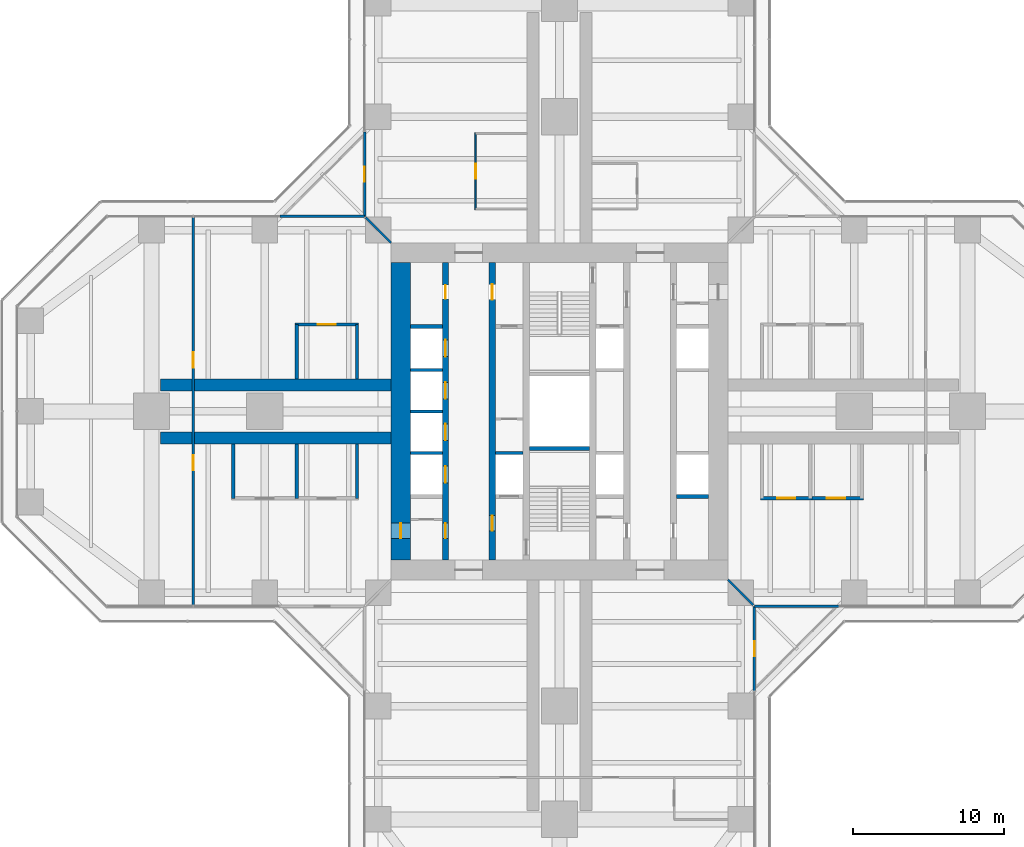
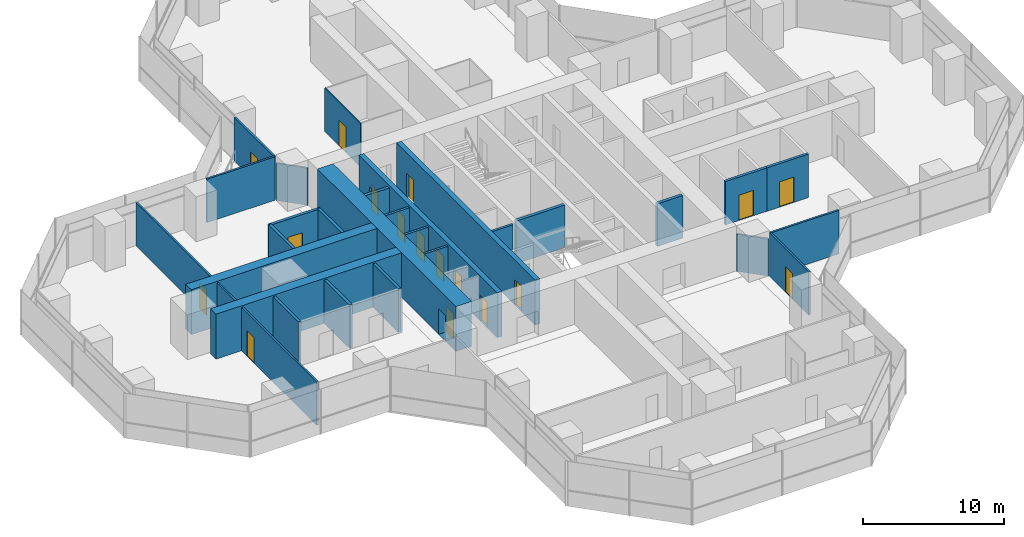
# One storey, part 18 of 22: 28 walls, 17 doors, 17 openings.
"""IFC4 building model written with IfcOpenShell, lengths in metres."""

from ifc_helpers import new_model, si_unit, direction, frame, frame_2d, origin, place, context, subcontext, project, spatial, rectangle, extrude, material, layer, layer_set, type_object, element, fill, save


model = new_model("IFC4")

# Units and contexts
model_context = context("Model", 3, precision=1e-05, world=origin(), true_north=direction((0.0, 1.0)))
body_context = subcontext(model_context, "Body", "Model", "MODEL_VIEW")
ifc_project = project(units=[si_unit("LENGTHUNIT", "METRE"), si_unit("AREAUNIT", "SQUARE_METRE"), si_unit("VOLUMEUNIT", "CUBIC_METRE"), si_unit("PLANEANGLEUNIT", "RADIAN"), si_unit("MASSUNIT", "GRAM", prefix="KILO")], contexts=[model_context])

# Site, building, storey
site_placement = place(None, origin())
site = spatial("IfcSite", under=ifc_project, at=site_placement, CompositionType="ELEMENT")
building_placement = place(site_placement, origin())
building = spatial("IfcBuilding", under=site, at=building_placement, Name="Mizan Broadcast Tower", CompositionType="ELEMENT")
storey_placement = place(building_placement, frame((0.0, 0.0, 63.0)))
storey = spatial("IfcBuildingStorey", under=building, at=storey_placement, Name="L12", CompositionType="ELEMENT", Elevation=63.0)

# Wall, openings, doors
ifc_material_1 = material(Name="Concrete C70/85", Category="concrete")
ifc_layer_1 = layer(ifc_material_1, 0.39990234375)
ifc_layer_set_1 = layer_set([ifc_layer_1], Name="Concrete C70/85")
wall_type_1 = type_object("IfcWallType", Name="CORE INTERNAL WALL 400", PredefinedType="SHEAR", material=ifc_layer_set_1)
wall_1_placement = place(storey_placement, frame((-7.550048828125, -9.85009765625, 0.0), z_axis=(0.0, 0.0, 1.0), x_axis=(0.0, 1.0, 0.0)))
wall_1 = element("IfcWall", 1, at=wall_1_placement, inside=storey, type_object=wall_type_1, Name="Core wall CORE/XW1", PredefinedType="SHEAR", context=body_context, shape_type="SweptSolid", body=[
    extrude(rectangle(XDim=19.7001953125, YDim=0.39990234375, at=frame_2d((9.85009765625, 0.0))), origin(), (0.0, 0.0, 1.0), 3.89990234375),
])
opening_1_placement = place(wall_1_placement, frame((1.449951171875, 0.0, 0.0)))
opening_1 = element("IfcOpeningElement", 2, at=opening_1_placement, cuts=wall_1, Name="Opening D10F", PredefinedType="OPENING", context=body_context, shape_type="SweptSolid", body=[
    extrude(rectangle(XDim=1.0, YDim=2.199951171875, at=frame_2d((0.5, 1.10009765625))), frame((0.0, 0.2099609375, 0.0), z_axis=(0.0, -1.0, 0.0), x_axis=(1.0, 0.0, 0.0)), (0.0, 0.0, 1.0), 0.419921875),
])
opening_2_placement = place(wall_1_placement, frame((17.300048828125, 0.0, 0.0)))
opening_2 = element("IfcOpeningElement", 3, at=opening_2_placement, cuts=wall_1, Name="Opening D09", PredefinedType="OPENING", context=body_context, shape_type="SweptSolid", body=[
    extrude(rectangle(XDim=0.89990234375, YDim=2.10009765625, at=frame_2d((0.449951171875, 1.050048828125))), frame((0.0, 0.2099609375, 0.0), z_axis=(0.0, -1.0, 0.0), x_axis=(1.0, 0.0, 0.0)), (0.0, 0.0, 1.0), 0.419921875),
])
opening_3_placement = place(wall_1_placement, frame((5.125, 0.0, 0.0)))
opening_3 = element("IfcOpeningElement", 4, at=opening_3_placement, cuts=wall_1, Name="Opening LD", PredefinedType="OPENING", context=body_context, shape_type="SweptSolid", body=[
    extrude(rectangle(XDim=1.10009765625, YDim=2.199951171875, at=frame_2d((0.550048828125, 1.10009765625))), frame((0.0, 0.2099609375, 0.0), z_axis=(0.0, -1.0, 0.0), x_axis=(1.0, 0.0, 0.0)), (0.0, 0.0, 1.0), 0.419921875),
])
opening_4_placement = place(wall_1_placement, frame((7.925048828125, 0.0, 0.0)))
opening_4 = element("IfcOpeningElement", 5, at=opening_4_placement, cuts=wall_1, Name="Opening LD", PredefinedType="OPENING", context=body_context, shape_type="SweptSolid", body=[
    extrude(rectangle(XDim=1.10009765625, YDim=2.199951171875, at=frame_2d((0.550048828125, 1.10009765625))), frame((0.0, 0.2099609375, 0.0), z_axis=(0.0, -1.0, 0.0), x_axis=(1.0, 0.0, 0.0)), (0.0, 0.0, 1.0), 0.419921875),
])
opening_5_placement = place(wall_1_placement, frame((10.675048828125, 0.0, 0.0)))
opening_5 = element("IfcOpeningElement", 6, at=opening_5_placement, cuts=wall_1, Name="Opening LD", PredefinedType="OPENING", context=body_context, shape_type="SweptSolid", body=[
    extrude(rectangle(XDim=1.10009765625, YDim=2.199951171875, at=frame_2d((0.550048828125, 1.10009765625))), frame((0.0, 0.2099609375, 0.0), z_axis=(0.0, -1.0, 0.0), x_axis=(1.0, 0.0, 0.0)), (0.0, 0.0, 1.0), 0.419921875),
])
opening_6_placement = place(wall_1_placement, frame((13.47509765625, 0.0, 0.0)))
opening_6 = element("IfcOpeningElement", 7, at=opening_6_placement, cuts=wall_1, Name="Opening LD", PredefinedType="OPENING", context=body_context, shape_type="SweptSolid", body=[
    extrude(rectangle(XDim=1.10009765625, YDim=2.199951171875, at=frame_2d((0.550048828125, 1.10009765625))), frame((0.0, 0.2099609375, 0.0), z_axis=(0.0, -1.0, 0.0), x_axis=(1.0, 0.0, 0.0)), (0.0, 0.0, 1.0), 0.419921875),
])
ifc_material_2 = material(Name="Steel door leaf in steel frame", Category="steel")
door_type_1 = type_object("IfcDoorType", Name="FIRE DOOR 1000 FD90", OperationType="SINGLE_SWING_LEFT", PredefinedType="DOOR", material=ifc_material_2)
door_1_placement = place(opening_1_placement, origin())
door_1 = element("IfcDoor", 8, at=door_1_placement, inside=storey, type_object=door_type_1, Name="West core passage door", OperationType="SINGLE_SWING_LEFT", OverallHeight=2.199951171875, OverallWidth=1.0, PredefinedType="DOOR", context=body_context, shape_type="SweptSolid", body=[
    extrude(rectangle(XDim=1.0, YDim=2.199951171875, at=frame_2d((0.5, 1.10009765625))), frame((0.0, 0.02490234375, 0.0), z_axis=(0.0, -1.0, 0.0), x_axis=(1.0, 0.0, 0.0)), (0.0, 0.0, 1.0), 0.050048828125),
])
fill(opening_1, door_1)
ifc_material_3 = material(Name="Steel door leaf in steel frame", Category="steel")
door_type_2 = type_object("IfcDoorType", Name="LIFT LANDING DOOR 1100", OperationType="SLIDING_TO_LEFT", PredefinedType="DOOR", material=ifc_material_3)
door_2_placement = place(opening_3_placement, origin())
door_2 = element("IfcDoor", 9, at=door_2_placement, inside=storey, type_object=door_type_2, Name="Landing door LA1", OperationType="SLIDING_TO_LEFT", OverallHeight=2.199951171875, OverallWidth=1.10009765625, PredefinedType="DOOR", context=body_context, shape_type="SweptSolid", body=[
    extrude(rectangle(XDim=1.10009765625, YDim=2.199951171875, at=frame_2d((0.550048828125, 1.10009765625))), frame((0.0, 0.02490234375, 0.0), z_axis=(0.0, -1.0, 0.0), x_axis=(1.0, 0.0, 0.0)), (0.0, 0.0, 1.0), 0.050048828125),
])
fill(opening_3, door_2)
door_3_placement = place(opening_4_placement, origin())
door_3 = element("IfcDoor", 10, at=door_3_placement, inside=storey, type_object=door_type_2, Name="Landing door LA2", OperationType="SLIDING_TO_LEFT", OverallHeight=2.199951171875, OverallWidth=1.10009765625, PredefinedType="DOOR", context=body_context, shape_type="SweptSolid", body=[
    extrude(rectangle(XDim=1.10009765625, YDim=2.199951171875, at=frame_2d((0.550048828125, 1.10009765625))), frame((0.0, 0.02490234375, 0.0), z_axis=(0.0, -1.0, 0.0), x_axis=(1.0, 0.0, 0.0)), (0.0, 0.0, 1.0), 0.050048828125),
])
fill(opening_4, door_3)
door_4_placement = place(opening_5_placement, origin())
door_4 = element("IfcDoor", 11, at=door_4_placement, inside=storey, type_object=door_type_2, Name="Landing door LA3", OperationType="SLIDING_TO_LEFT", OverallHeight=2.199951171875, OverallWidth=1.10009765625, PredefinedType="DOOR", context=body_context, shape_type="SweptSolid", body=[
    extrude(rectangle(XDim=1.10009765625, YDim=2.199951171875, at=frame_2d((0.550048828125, 1.10009765625))), frame((0.0, 0.02490234375, 0.0), z_axis=(0.0, -1.0, 0.0), x_axis=(1.0, 0.0, 0.0)), (0.0, 0.0, 1.0), 0.050048828125),
])
fill(opening_5, door_4)
door_5_placement = place(opening_6_placement, origin())
door_5 = element("IfcDoor", 12, at=door_5_placement, inside=storey, type_object=door_type_2, Name="Landing door LA4", OperationType="SLIDING_TO_LEFT", OverallHeight=2.199951171875, OverallWidth=1.10009765625, PredefinedType="DOOR", context=body_context, shape_type="SweptSolid", body=[
    extrude(rectangle(XDim=1.10009765625, YDim=2.199951171875, at=frame_2d((0.550048828125, 1.10009765625))), frame((0.0, 0.02490234375, 0.0), z_axis=(0.0, -1.0, 0.0), x_axis=(1.0, 0.0, 0.0)), (0.0, 0.0, 1.0), 0.050048828125),
])
fill(opening_6, door_5)
ifc_material_4 = material(Name="Timber door leaf in aluminium frame", Category="wood")
door_type_3 = type_object("IfcDoorType", Name="TOILET DOOR 900", OperationType="SINGLE_SWING_LEFT", PredefinedType="DOOR", material=ifc_material_4)
door_6_placement = place(opening_2_placement, origin())
door_6 = element("IfcDoor", 13, at=door_6_placement, inside=storey, type_object=door_type_3, Name="Male WC door", OperationType="SINGLE_SWING_RIGHT", OverallHeight=2.10009765625, OverallWidth=0.89990234375, PredefinedType="DOOR", context=body_context, shape_type="SweptSolid", body=[
    extrude(rectangle(XDim=0.89990234375, YDim=2.10009765625, at=frame_2d((0.449951171875, 1.050048828125))), frame((0.0, 0.02490234375, 0.0), z_axis=(0.0, -1.0, 0.0), x_axis=(1.0, 0.0, 0.0)), (0.0, 0.0, 1.0), 0.050048828125),
])
fill(opening_2, door_6)

wall_2_placement = place(storey_placement, frame((-4.449951171875, -9.85009765625, 0.0), z_axis=(0.0, 0.0, 1.0), x_axis=(0.0, 1.0, 0.0)))
wall_2 = element("IfcWall", 14, at=wall_2_placement, inside=storey, type_object=wall_type_1, Name="Core wall CORE/XWH", PredefinedType="SHEAR", context=body_context, shape_type="SweptSolid", body=[
    extrude(rectangle(XDim=19.7001953125, YDim=0.39990234375, at=frame_2d((9.85009765625, 0.0))), origin(), (0.0, 0.0, 1.0), 3.89990234375),
])
opening_7_placement = place(wall_2_placement, frame((1.949951171875, 0.0, 0.0)))
opening_7 = element("IfcOpeningElement", 15, at=opening_7_placement, cuts=wall_2, Name="Opening D10F", PredefinedType="OPENING", context=body_context, shape_type="SweptSolid", body=[
    extrude(rectangle(XDim=1.0, YDim=2.199951171875, at=frame_2d((0.5, 1.10009765625))), frame((0.0, 0.2099609375, 0.0), z_axis=(0.0, -1.0, 0.0), x_axis=(1.0, 0.0, 0.0)), (0.0, 0.0, 1.0), 0.419921875),
])
opening_8_placement = place(wall_2_placement, frame((17.25, 0.0, 0.0)))
opening_8 = element("IfcOpeningElement", 16, at=opening_8_placement, cuts=wall_2, Name="Opening D10A", PredefinedType="OPENING", context=body_context, shape_type="SweptSolid", body=[
    extrude(rectangle(XDim=1.0, YDim=2.10009765625, at=frame_2d((0.5, 1.050048828125))), frame((0.0, 0.2099609375, 0.0), z_axis=(0.0, -1.0, 0.0), x_axis=(1.0, 0.0, 0.0)), (0.0, 0.0, 1.0), 0.419921875),
])
ifc_material_5 = material(Name="Timber door leaf in aluminium frame", Category="wood")
door_type_4 = type_object("IfcDoorType", Name="ACCESSIBLE WC DOOR 1000", OperationType="SLIDING_TO_LEFT", PredefinedType="DOOR", material=ifc_material_5)
door_7_placement = place(opening_8_placement, origin())
door_7 = element("IfcDoor", 17, at=door_7_placement, inside=storey, type_object=door_type_4, Name="Accessible WC door", OperationType="SLIDING_TO_LEFT", OverallHeight=2.10009765625, OverallWidth=1.0, PredefinedType="DOOR", context=body_context, shape_type="SweptSolid", body=[
    extrude(rectangle(XDim=1.0, YDim=2.10009765625, at=frame_2d((0.5, 1.050048828125))), frame((0.0, 0.02490234375, 0.0), z_axis=(0.0, -1.0, 0.0), x_axis=(1.0, 0.0, 0.0)), (0.0, 0.0, 1.0), 0.050048828125),
])
fill(opening_8, door_7)
door_8_placement = place(opening_7_placement, origin())
door_8 = element("IfcDoor", 18, at=door_8_placement, inside=storey, type_object=door_type_1, Name="Firefighting lobby A door", OperationType="SINGLE_SWING_LEFT", OverallHeight=2.199951171875, OverallWidth=1.0, PredefinedType="DOOR", context=body_context, shape_type="SweptSolid", body=[
    extrude(rectangle(XDim=1.0, YDim=2.199951171875, at=frame_2d((0.5, 1.10009765625))), frame((0.0, 0.02490234375, 0.0), z_axis=(0.0, -1.0, 0.0), x_axis=(1.0, 0.0, 0.0)), (0.0, 0.0, 1.0), 0.050048828125),
])
fill(opening_7, door_8)

# Wall, opening, door
ifc_material_6 = material(Name="Concrete C70/85", Category="concrete")
ifc_layer_2 = layer(ifc_material_6, 1.300048828125)
ifc_layer_set_2 = layer_set([ifc_layer_2], Name="Concrete C70/85")
wall_type_2 = type_object("IfcWallType", Name="CORE WALL 1300", PredefinedType="SHEAR", material=ifc_layer_set_2)
wall_3_placement = place(storey_placement, frame((-10.5, 9.85009765625, 0.0), z_axis=(0.0, 0.0, 1.0), x_axis=(0.0, -1.0, 0.0)))
wall_3 = element("IfcWall", 19, at=wall_3_placement, inside=storey, type_object=wall_type_2, Name="Core wall W L12", PredefinedType="SHEAR", context=body_context, shape_type="SweptSolid", body=[
    extrude(rectangle(XDim=19.7001953125, YDim=1.300048828125, at=frame_2d((9.85009765625, 0.0))), origin(), (0.0, 0.0, 1.0), 3.89990234375),
])
opening_9_placement = place(wall_3_placement, frame((17.25, 0.0, 0.0)))
opening_9 = element("IfcOpeningElement", 20, at=opening_9_placement, cuts=wall_3, Name="Opening D10F", PredefinedType="OPENING", context=body_context, shape_type="SweptSolid", body=[
    extrude(rectangle(XDim=1.0, YDim=2.199951171875, at=frame_2d((0.5, 1.10009765625))), frame((0.0, 0.659912109375, 0.0), z_axis=(0.0, -1.0, 0.0), x_axis=(1.0, 0.0, 0.0)), (0.0, 0.0, 1.0), 1.320068359375),
])
door_9_placement = place(opening_9_placement, origin())
door_9 = element("IfcDoor", 21, at=door_9_placement, inside=storey, type_object=door_type_1, Name="West core passage arm door", OperationType="SINGLE_SWING_RIGHT", OverallHeight=2.199951171875, OverallWidth=1.0, PredefinedType="DOOR", context=body_context, shape_type="SweptSolid", body=[
    extrude(rectangle(XDim=1.0, YDim=2.199951171875, at=frame_2d((0.5, 1.10009765625))), frame((0.0, 0.02490234375, 0.0), z_axis=(0.0, -1.0, 0.0), x_axis=(1.0, 0.0, 0.0)), (0.0, 0.0, 1.0), 0.050048828125),
])
fill(opening_9, door_9)

# Wall
ifc_material_7 = material(Name="Aluminium framed glazed screen", Category="aluminium")
ifc_layer_3 = layer(ifc_material_7, 0.159912109375)
ifc_layer_set_3 = layer_set([ifc_layer_3], Name="Aluminium framed glazed screen")
wall_type_3 = type_object("IfcWallType", Name="GLAZED SCREEN WALL 160", PredefinedType="SOLIDWALL", material=ifc_layer_set_3)
wall_4_placement = place(storey_placement, frame((12.89990234375, -12.89990234375, 0.0), z_axis=(0.0, 0.0, 1.0), x_axis=(1.0, 0.0, 0.0)))
element("IfcWall", 22, at=wall_4_placement, inside=storey, type_object=wall_type_3, Name="Winter garden screen L12 E", PredefinedType="SOLIDWALL", context=body_context, shape_type="SweptSolid", body=[
    extrude(rectangle(XDim=5.60009765625, YDim=0.159912109375, at=frame_2d((2.800048828125, 0.0))), origin(), (0.0, 0.0, 1.0), 3.77001953125),
])

# Wall, opening, door
wall_5_placement = place(storey_placement, frame((-12.89990234375, 18.5, 0.0), z_axis=(0.0, 0.0, 1.0), x_axis=(0.0, -1.0, 0.0)))
wall_5 = element("IfcWall", 23, at=wall_5_placement, inside=storey, type_object=wall_type_3, Name="Winter garden screen L12 N", PredefinedType="SOLIDWALL", context=body_context, shape_type="SweptSolid", body=[
    extrude(rectangle(XDim=5.60009765625, YDim=0.159912109375, at=frame_2d((2.800048828125, 0.0))), origin(), (0.0, 0.0, 1.0), 3.77001953125),
])
opening_10_placement = place(wall_5_placement, frame((2.300048828125, 0.0, 0.0)))
opening_10 = element("IfcOpeningElement", 24, at=opening_10_placement, cuts=wall_5, Name="Opening WGD", PredefinedType="OPENING", context=body_context, shape_type="SweptSolid", body=[
    extrude(rectangle(XDim=1.0, YDim=2.199951171875, at=frame_2d((0.5, 1.10009765625))), frame((0.0, 0.08984375, 0.0), z_axis=(0.0, -1.0, 0.0), x_axis=(1.0, 0.0, 0.0)), (0.0, 0.0, 1.0), 0.179931640625),
])
ifc_material_8 = material(Name="Aluminium framed glazed door", Category="aluminium")
door_type_5 = type_object("IfcDoorType", Name="WINTER GARDEN DOOR 1000 GLAZED", OperationType="SINGLE_SWING_LEFT", PredefinedType="DOOR", material=ifc_material_8)
door_10_placement = place(opening_10_placement, origin())
door_10 = element("IfcDoor", 25, at=door_10_placement, inside=storey, type_object=door_type_5, Name="Winter garden door L12 N", OperationType="SINGLE_SWING_RIGHT", OverallHeight=2.199951171875, OverallWidth=1.0, PredefinedType="DOOR", context=body_context, shape_type="SweptSolid", body=[
    extrude(rectangle(XDim=1.0, YDim=2.199951171875, at=frame_2d((0.5, 1.10009765625))), frame((0.0, 0.02490234375, 0.0), z_axis=(0.0, -1.0, 0.0), x_axis=(1.0, 0.0, 0.0)), (0.0, 0.0, 1.0), 0.050048828125),
])
fill(opening_10, door_10)

# Wall
wall_6_placement = place(storey_placement, frame((-12.89990234375, 12.89990234375, 0.0), z_axis=(0.0, 0.0, 1.0), x_axis=(-1.0, 0.0, 0.0)))
element("IfcWall", 26, at=wall_6_placement, inside=storey, type_object=wall_type_3, Name="Winter garden screen L12 W", PredefinedType="SOLIDWALL", context=body_context, shape_type="SweptSolid", body=[
    extrude(rectangle(XDim=5.60009765625, YDim=0.159912109375, at=frame_2d((2.800048828125, 0.0))), origin(), (0.0, 0.0, 1.0), 3.77001953125),
])

# Wall, opening, door
wall_7_placement = place(storey_placement, frame((12.89990234375, -18.5, 0.0), z_axis=(0.0, 0.0, 1.0), x_axis=(0.0, 1.0, 0.0)))
wall_7 = element("IfcWall", 27, at=wall_7_placement, inside=storey, type_object=wall_type_3, Name="Winter garden screen L12 S", PredefinedType="SOLIDWALL", context=body_context, shape_type="SweptSolid", body=[
    extrude(rectangle(XDim=5.60009765625, YDim=0.159912109375, at=frame_2d((2.800048828125, 0.0))), origin(), (0.0, 0.0, 1.0), 3.77001953125),
])
opening_11_placement = place(wall_7_placement, frame((2.300048828125, 0.0, 0.0)))
opening_11 = element("IfcOpeningElement", 28, at=opening_11_placement, cuts=wall_7, Name="Opening WGD", PredefinedType="OPENING", context=body_context, shape_type="SweptSolid", body=[
    extrude(rectangle(XDim=1.0, YDim=2.199951171875, at=frame_2d((0.5, 1.10009765625))), frame((0.0, 0.08984375, 0.0), z_axis=(0.0, -1.0, 0.0), x_axis=(1.0, 0.0, 0.0)), (0.0, 0.0, 1.0), 0.179931640625),
])
door_11_placement = place(opening_11_placement, origin())
door_11 = element("IfcDoor", 29, at=door_11_placement, inside=storey, type_object=door_type_5, Name="Winter garden door L12 S", OperationType="SINGLE_SWING_RIGHT", OverallHeight=2.199951171875, OverallWidth=1.0, PredefinedType="DOOR", context=body_context, shape_type="SweptSolid", body=[
    extrude(rectangle(XDim=1.0, YDim=2.199951171875, at=frame_2d((0.5, 1.10009765625))), frame((0.0, 0.02490234375, 0.0), z_axis=(0.0, -1.0, 0.0), x_axis=(1.0, 0.0, 0.0)), (0.0, 0.0, 1.0), 0.050048828125),
])
fill(opening_11, door_11)

# Walls
ifc_material_9 = material(Name="Concrete blockwork", Category="masonry")
ifc_layer_4 = layer(ifc_material_9, 0.199951171875)
ifc_layer_set_4 = layer_set([ifc_layer_4], Name="Concrete blockwork")
wall_type_4 = type_object("IfcWallType", Name="LIFT SHAFT WALL 200", PredefinedType="SOLIDWALL", material=ifc_layer_set_4)
wall_8_placement = place(storey_placement, frame((-9.85009765625, -2.75, 0.0), z_axis=(0.0, 0.0, 1.0), x_axis=(1.0, 0.0, 0.0)))
element("IfcWall", 30, at=wall_8_placement, inside=storey, type_object=wall_type_4, Name="Lift shaft wall CORE/SW1-1", PredefinedType="SOLIDWALL", context=body_context, shape_type="SweptSolid", body=[
    extrude(rectangle(XDim=2.10009765625, YDim=0.199951171875, at=frame_2d((1.050048828125, 0.0))), origin(), (0.0, 0.0, 1.0), 3.699951171875),
])
wall_9_placement = place(storey_placement, frame((-4.25, -2.75, 0.0), z_axis=(0.0, 0.0, 1.0), x_axis=(1.0, 0.0, 0.0)))
element("IfcWall", 31, at=wall_9_placement, inside=storey, type_object=wall_type_4, Name="Lift shaft wall CORE/SW2-1", PredefinedType="SOLIDWALL", context=body_context, shape_type="SweptSolid", body=[
    extrude(rectangle(XDim=1.85009765625, YDim=0.199951171875, at=frame_2d((0.925048828125, 0.0))), origin(), (0.0, 0.0, 1.0), 3.699951171875),
])
for number, where, z_axis, x_axis, name in (
    (32, (-9.85009765625, 0.0, 0.0), (0.0, 0.0, 1.0), (1.0, 0.0, 0.0), "Lift shaft wall CORE/SW1-2"),
    (33, (-9.85009765625, 2.75, 0.0), (0.0, 0.0, 1.0), (1.0, 0.0, 0.0), "Lift shaft wall CORE/SW1-3"),
):
    element("IfcWall", number, at=place(storey_placement, frame(where, z_axis=z_axis, x_axis=x_axis)), inside=storey, type_object=wall_type_4, Name=name, PredefinedType="SOLIDWALL", context=body_context, shape_type="SweptSolid", body=[
        extrude(rectangle(XDim=2.10009765625, YDim=0.199951171875, at=frame_2d((1.050048828125, 0.0))), origin(), (0.0, 0.0, 1.0), 3.699951171875),
    ])
ifc_material_10 = material(Name="Concrete blockwork", Category="masonry")
ifc_layer_5 = layer(ifc_material_10, 0.25)
ifc_layer_set_5 = layer_set([ifc_layer_5], Name="Concrete blockwork")
wall_type_5 = type_object("IfcWallType", Name="LOBBY ENCLOSURE WALL 250", PredefinedType="SOLIDWALL", material=ifc_layer_set_5)
for number, where, z_axis, x_axis, name in (
    (34, (-9.85009765625, 5.625, 0.0), (0.0, 0.0, 1.0), (1.0, 0.0, 0.0), "Lobby enclosure wall CORE/BW1N"),
    (35, (7.75, -5.625, 0.0), (0.0, 0.0, 1.0), (1.0, 0.0, 0.0), "Lobby enclosure wall CORE/BE1S"),
):
    element("IfcWall", number, at=place(storey_placement, frame(where, z_axis=z_axis, x_axis=x_axis)), inside=storey, type_object=wall_type_5, Name=name, PredefinedType="SOLIDWALL", context=body_context, shape_type="SweptSolid", body=[
        extrude(rectangle(XDim=2.10009765625, YDim=0.25, at=frame_2d((1.050048828125, 0.0))), origin(), (0.0, 0.0, 1.0), 3.699951171875),
    ])
wall_10_placement = place(storey_placement, frame((-2.0, -2.449951171875, 0.0), z_axis=(0.0, 0.0, 1.0), x_axis=(1.0, 0.0, 0.0)))
element("IfcWall", 36, at=wall_10_placement, inside=storey, type_object=wall_type_5, Name="Lobby enclosure wall CORE/STA", PredefinedType="SOLIDWALL", context=body_context, shape_type="SweptSolid", body=[
    extrude(rectangle(XDim=4.0, YDim=0.25, at=frame_2d((2.0, 0.0))), origin(), (0.0, 0.0, 1.0), 3.699951171875),
])

# Wall, openings, doors
ifc_material_11 = material(Name="Gypsum board on steel studs", Category="steel")
ifc_layer_6 = layer(ifc_material_11, 0.14990234375)
ifc_layer_set_6 = layer_set([ifc_layer_6], Name="Gypsum board on steel studs")
wall_type_6 = type_object("IfcWallType", Name="PARTITION 150", PredefinedType="PARTITIONING", material=ifc_layer_set_6)
wall_11_placement = place(storey_placement, frame((-24.22900390625, 12.820068359375, 0.0), z_axis=(0.0, 0.0, 1.0), x_axis=(0.0, -1.0, 0.0)))
wall_11 = element("IfcWall", 37, at=wall_11_placement, inside=storey, type_object=wall_type_6, Name="Partition PT/WX1", PredefinedType="PARTITIONING", context=body_context, shape_type="SweptSolid", body=[
    extrude(rectangle(XDim=25.64013671875, YDim=0.14990234375, at=frame_2d((12.820068359375, 0.0))), origin(), (0.0, 0.0, 1.0), 3.77001953125),
])
opening_12_placement = place(wall_11_placement, frame((15.719970703125, 0.0, 0.0)))
opening_12 = element("IfcOpeningElement", 38, at=opening_12_placement, cuts=wall_11, Name="Opening D10", PredefinedType="OPENING", context=body_context, shape_type="SweptSolid", body=[
    extrude(rectangle(XDim=1.0, YDim=2.199951171875, at=frame_2d((0.5, 1.10009765625))), frame((0.0, 0.0849609375, 0.0), z_axis=(0.0, -1.0, 0.0), x_axis=(1.0, 0.0, 0.0)), (0.0, 0.0, 1.0), 0.169921875),
])
opening_13_placement = place(wall_11_placement, frame((8.919921875, 0.0, 0.0)))
opening_13 = element("IfcOpeningElement", 39, at=opening_13_placement, cuts=wall_11, Name="Opening D10", PredefinedType="OPENING", context=body_context, shape_type="SweptSolid", body=[
    extrude(rectangle(XDim=1.0, YDim=2.199951171875, at=frame_2d((0.5, 1.10009765625))), frame((0.0, 0.0849609375, 0.0), z_axis=(0.0, -1.0, 0.0), x_axis=(1.0, 0.0, 0.0)), (0.0, 0.0, 1.0), 0.169921875),
])
ifc_material_12 = material(Name="Timber door leaf in aluminium frame", Category="wood")
door_type_6 = type_object("IfcDoorType", Name="ROOM DOOR 1000", OperationType="SINGLE_SWING_LEFT", PredefinedType="DOOR", material=ifc_material_12)
door_12_placement = place(opening_12_placement, origin())
door_12 = element("IfcDoor", 40, at=door_12_placement, inside=storey, type_object=door_type_6, Name="Open office door", OperationType="SINGLE_SWING_RIGHT", OverallHeight=2.199951171875, OverallWidth=1.0, PredefinedType="DOOR", context=body_context, shape_type="SweptSolid", body=[
    extrude(rectangle(XDim=1.0, YDim=2.199951171875, at=frame_2d((0.5, 1.10009765625))), frame((0.0, 0.02490234375, 0.0), z_axis=(0.0, -1.0, 0.0), x_axis=(1.0, 0.0, 0.0)), (0.0, 0.0, 1.0), 0.050048828125),
])
fill(opening_12, door_12)
door_13_placement = place(opening_13_placement, origin())
door_13 = element("IfcDoor", 41, at=door_13_placement, inside=storey, type_object=door_type_6, Name="Open office door", OperationType="SINGLE_SWING_LEFT", OverallHeight=2.199951171875, OverallWidth=1.0, PredefinedType="DOOR", context=body_context, shape_type="SweptSolid", body=[
    extrude(rectangle(XDim=1.0, YDim=2.199951171875, at=frame_2d((0.5, 1.10009765625))), frame((0.0, 0.02490234375, 0.0), z_axis=(0.0, -1.0, 0.0), x_axis=(1.0, 0.0, 0.0)), (0.0, 0.0, 1.0), 0.050048828125),
])
fill(opening_13, door_13)

# Walls
for number, where, z_axis, x_axis, name in (
    (42, (-11.14990234375, 11.14990234375, 0.0), (0.0, 0.0, 1.0), (-0.707106781187, 0.707106781187, 0.0), "Partition PT/DGWN"),
    (43, (11.14990234375, -11.14990234375, 0.0), (0.0, 0.0, 1.0), (0.707106781187, -0.707106781187, 0.0), "Partition PT/DGES"),
):
    element("IfcWall", number, at=place(storey_placement, frame(where, z_axis=z_axis, x_axis=x_axis)), inside=storey, type_object=wall_type_6, Name=name, PredefinedType="PARTITIONING", context=body_context, shape_type="SweptSolid", body=[
        extrude(rectangle(XDim=2.362060546875, YDim=0.14990234375, at=frame_2d((1.18115234375, 0.0))), origin(), (0.0, 0.0, 1.0), 3.219970703125),
    ])

# Wall, opening, door
ifc_material_13 = material(Name="Twin steel stud acoustic partition, four layers of gypsum board", Category="steel")
ifc_layer_7 = layer(ifc_material_13, 0.22509765625)
ifc_layer_set_7 = layer_set([ifc_layer_7], Name="Twin steel stud acoustic partition, four layers of gypsum board")
wall_type_7 = type_object("IfcWallType", Name="PARTITION ACOUSTIC 225", PredefinedType="PARTITIONING", material=ifc_layer_set_7)
wall_12_placement = place(storey_placement, frame((13.28759765625, -5.75, 0.0), z_axis=(0.0, 0.0, 1.0), x_axis=(1.0, 0.0, 0.0)))
wall_12 = element("IfcWall", 44, at=wall_12_placement, inside=storey, type_object=wall_type_7, Name="Acoustic partition PT/EKN0f", PredefinedType="PARTITIONING", context=body_context, shape_type="SweptSolid", body=[
    extrude(rectangle(XDim=3.4248046875, YDim=0.22509765625, at=frame_2d((1.71240234375, 0.0))), origin(), (0.0, 0.0, 1.0), 3.77001953125),
])
opening_14_placement = place(wall_12_placement, frame((1.112548828125, 0.0, 0.0)))
opening_14 = element("IfcOpeningElement", 45, at=opening_14_placement, cuts=wall_12, Name="Opening D12A", PredefinedType="OPENING", context=body_context, shape_type="SweptSolid", body=[
    extrude(rectangle(XDim=1.199951171875, YDim=2.199951171875, at=frame_2d((0.60009765625, 1.10009765625))), frame((0.0, 0.12255859375, 0.0), z_axis=(0.0, -1.0, 0.0), x_axis=(1.0, 0.0, 0.0)), (0.0, 0.0, 1.0), 0.2451171875),
])
ifc_material_14 = material(Name="Timber door leaf in aluminium frame", Category="wood")
door_type_7 = type_object("IfcDoorType", Name="ACOUSTIC DOOR 1200", OperationType="SINGLE_SWING_LEFT", PredefinedType="DOOR", material=ifc_material_14)
door_14_placement = place(opening_14_placement, origin())
door_14 = element("IfcDoor", 46, at=door_14_placement, inside=storey, type_object=door_type_7, Name="Edit suite door", OperationType="SINGLE_SWING_LEFT", OverallHeight=2.199951171875, OverallWidth=1.199951171875, PredefinedType="DOOR", context=body_context, shape_type="SweptSolid", body=[
    extrude(rectangle(XDim=1.199951171875, YDim=2.199951171875, at=frame_2d((0.60009765625, 1.10009765625))), frame((0.0, 0.02490234375, 0.0), z_axis=(0.0, -1.0, 0.0), x_axis=(1.0, 0.0, 0.0)), (0.0, 0.0, 1.0), 0.050048828125),
])
fill(opening_14, door_14)

wall_13_placement = place(storey_placement, frame((16.71240234375, -5.75, 0.0), z_axis=(0.0, 0.0, 1.0), x_axis=(1.0, 0.0, 0.0)))
wall_13 = element("IfcWall", 47, at=wall_13_placement, inside=storey, type_object=wall_type_7, Name="Acoustic partition PT/EKN1f", PredefinedType="PARTITIONING", context=body_context, shape_type="SweptSolid", body=[
    extrude(rectangle(XDim=3.400146484375, YDim=0.22509765625, at=frame_2d((1.7001953125, 0.0))), origin(), (0.0, 0.0, 1.0), 3.77001953125),
])
opening_15_placement = place(wall_13_placement, frame((0.987548828125, 0.0, 0.0)))
opening_15 = element("IfcOpeningElement", 48, at=opening_15_placement, cuts=wall_13, Name="Opening D12A", PredefinedType="OPENING", context=body_context, shape_type="SweptSolid", body=[
    extrude(rectangle(XDim=1.199951171875, YDim=2.199951171875, at=frame_2d((0.60009765625, 1.10009765625))), frame((0.0, 0.12255859375, 0.0), z_axis=(0.0, -1.0, 0.0), x_axis=(1.0, 0.0, 0.0)), (0.0, 0.0, 1.0), 0.2451171875),
])
door_15_placement = place(opening_15_placement, origin())
door_15 = element("IfcDoor", 49, at=door_15_placement, inside=storey, type_object=door_type_7, Name="Edit suite door", OperationType="SINGLE_SWING_LEFT", OverallHeight=2.199951171875, OverallWidth=1.199951171875, PredefinedType="DOOR", context=body_context, shape_type="SweptSolid", body=[
    extrude(rectangle(XDim=1.199951171875, YDim=2.199951171875, at=frame_2d((0.60009765625, 1.10009765625))), frame((0.0, 0.02490234375, 0.0), z_axis=(0.0, -1.0, 0.0), x_axis=(1.0, 0.0, 0.0)), (0.0, 0.0, 1.0), 0.050048828125),
])
fill(opening_15, door_15)

# Walls
for number, where, z_axis, x_axis, name in (
    (50, (-13.39990234375, -2.14990234375, 0.0), (0.0, 0.0, 1.0), (0.0, -1.0, 0.0), "Acoustic partition PT/WKP0a"),
    (51, (-17.39990234375, -2.14990234375, 0.0), (0.0, 0.0, 1.0), (0.0, -1.0, 0.0), "Acoustic partition PT/WKP0b"),
    (52, (-21.60009765625, -2.14990234375, 0.0), (0.0, 0.0, 1.0), (0.0, -1.0, 0.0), "Acoustic partition PT/WKP1b"),
    (53, (-13.39990234375, 2.14990234375, 0.0), (0.0, 0.0, 1.0), (0.0, 1.0, 0.0), "Acoustic partition PT/WKN0a"),
    (54, (-17.39990234375, 2.14990234375, 0.0), (0.0, 0.0, 1.0), (0.0, 1.0, 0.0), "Acoustic partition PT/WKN0b"),
):
    element("IfcWall", number, at=place(storey_placement, frame(where, z_axis=z_axis, x_axis=x_axis)), inside=storey, type_object=wall_type_7, Name=name, PredefinedType="PARTITIONING", context=body_context, shape_type="SweptSolid", body=[
        extrude(rectangle(XDim=3.60009765625, YDim=0.22509765625, at=frame_2d((1.800048828125, 0.0))), origin(), (0.0, 0.0, 1.0), 3.77001953125),
    ])

# Wall, opening, door
wall_14_placement = place(storey_placement, frame((-13.28759765625, 5.75, 0.0), z_axis=(0.0, 0.0, 1.0), x_axis=(-1.0, 0.0, 0.0)))
wall_14 = element("IfcWall", 55, at=wall_14_placement, inside=storey, type_object=wall_type_7, Name="Acoustic partition PT/WKN0f", PredefinedType="PARTITIONING", context=body_context, shape_type="SweptSolid", body=[
    extrude(rectangle(XDim=4.224853515625, YDim=0.22509765625, at=frame_2d((2.1123046875, 0.0))), origin(), (0.0, 0.0, 1.0), 3.77001953125),
])
opening_16_placement = place(wall_14_placement, frame((1.512451171875, 0.0, 0.0)))
opening_16 = element("IfcOpeningElement", 56, at=opening_16_placement, cuts=wall_14, Name="Opening D12A", PredefinedType="OPENING", context=body_context, shape_type="SweptSolid", body=[
    extrude(rectangle(XDim=1.199951171875, YDim=2.199951171875, at=frame_2d((0.60009765625, 1.10009765625))), frame((0.0, 0.12255859375, 0.0), z_axis=(0.0, -1.0, 0.0), x_axis=(1.0, 0.0, 0.0)), (0.0, 0.0, 1.0), 0.2451171875),
])
door_16_placement = place(opening_16_placement, origin())
door_16 = element("IfcDoor", 57, at=door_16_placement, inside=storey, type_object=door_type_7, Name="Audio dubbing suite door", OperationType="SINGLE_SWING_LEFT", OverallHeight=2.199951171875, OverallWidth=1.199951171875, PredefinedType="DOOR", context=body_context, shape_type="SweptSolid", body=[
    extrude(rectangle(XDim=1.199951171875, YDim=2.199951171875, at=frame_2d((0.60009765625, 1.10009765625))), frame((0.0, 0.02490234375, 0.0), z_axis=(0.0, -1.0, 0.0), x_axis=(1.0, 0.0, 0.0)), (0.0, 0.0, 1.0), 0.050048828125),
])
fill(opening_16, door_16)

ifc_material_15 = material(Name="Glazed aluminium partition on aluminium track", Category="aluminium")
ifc_layer_8 = layer(ifc_material_15, 0.10009765625)
ifc_layer_set_8 = layer_set([ifc_layer_8], Name="Glazed aluminium partition on aluminium track")
wall_type_8 = type_object("IfcWallType", Name="PARTITION GLAZED OFFICE FRONT 100", PredefinedType="PARTITIONING", material=ifc_layer_set_8)
wall_15_placement = place(storey_placement, frame((-5.550048828125, 13.35009765625, 0.0), z_axis=(0.0, 0.0, 1.0), x_axis=(0.0, 1.0, 0.0)))
wall_15 = element("IfcWall", 58, at=wall_15_placement, inside=storey, type_object=wall_type_8, Name="Glazed office front PT/NKP0f", PredefinedType="PARTITIONING", context=body_context, shape_type="SweptSolid", body=[
    extrude(rectangle(XDim=5.099853515625, YDim=0.10009765625, at=frame_2d((2.5498046875, 0.0))), origin(), (0.0, 0.0, 1.0), 3.77001953125),
])
opening_17_placement = place(wall_15_placement, frame((2.050048828125, 0.0, 0.0)))
opening_17 = element("IfcOpeningElement", 59, at=opening_17_placement, cuts=wall_15, Name="Opening D10O", PredefinedType="OPENING", context=body_context, shape_type="SweptSolid", body=[
    extrude(rectangle(XDim=1.0, YDim=2.199951171875, at=frame_2d((0.5, 1.10009765625))), frame((0.0, 0.06005859375, 0.0), z_axis=(0.0, -1.0, 0.0), x_axis=(1.0, 0.0, 0.0)), (0.0, 0.0, 1.0), 0.1201171875),
])
ifc_material_16 = material(Name="Timber door leaf in aluminium frame", Category="wood")
door_type_8 = type_object("IfcDoorType", Name="OFFICE DOOR 1000 GLAZED", OperationType="SINGLE_SWING_LEFT", PredefinedType="DOOR", material=ifc_material_16)
door_17_placement = place(opening_17_placement, origin())
door_17 = element("IfcDoor", 60, at=door_17_placement, inside=storey, type_object=door_type_8, Name="Machine room door", OperationType="SINGLE_SWING_LEFT", OverallHeight=2.199951171875, OverallWidth=1.0, PredefinedType="DOOR", context=body_context, shape_type="SweptSolid", body=[
    extrude(rectangle(XDim=1.0, YDim=2.199951171875, at=frame_2d((0.5, 1.10009765625))), frame((0.0, 0.02490234375, 0.0), z_axis=(0.0, -1.0, 0.0), x_axis=(1.0, 0.0, 0.0)), (0.0, 0.0, 1.0), 0.050048828125),
])
fill(opening_17, door_17)

# Walls
ifc_material_17 = material(Name="Concrete C70/85", Category="concrete")
ifc_layer_9 = layer(ifc_material_17, 0.800048828125)
ifc_layer_set_9 = layer_set([ifc_layer_9], Name="Concrete C70/85")
wall_type_9 = type_object("IfcWallType", Name="SPINE WALL 800", PredefinedType="SHEAR", material=ifc_layer_set_9)
for number, where, z_axis, x_axis, name in (
    (61, (-11.14990234375, 1.75, 0.0), (0.0, 0.0, 1.0), (-1.0, 0.0, 0.0), "Spine wall WR L12"),
    (62, (-11.14990234375, -1.75, 0.0), (0.0, 0.0, 1.0), (-1.0, 0.0, 0.0), "Spine wall WL L12"),
):
    element("IfcWall", number, at=place(storey_placement, frame(where, z_axis=z_axis, x_axis=x_axis)), inside=storey, type_object=wall_type_9, Name=name, PredefinedType="SHEAR", context=body_context, shape_type="SweptSolid", body=[
        extrude(rectangle(XDim=15.25, YDim=0.800048828125, at=frame_2d((7.625, 0.0))), origin(), (0.0, 0.0, 1.0), 3.89990234375),
    ])

save(model, "model.ifc")
